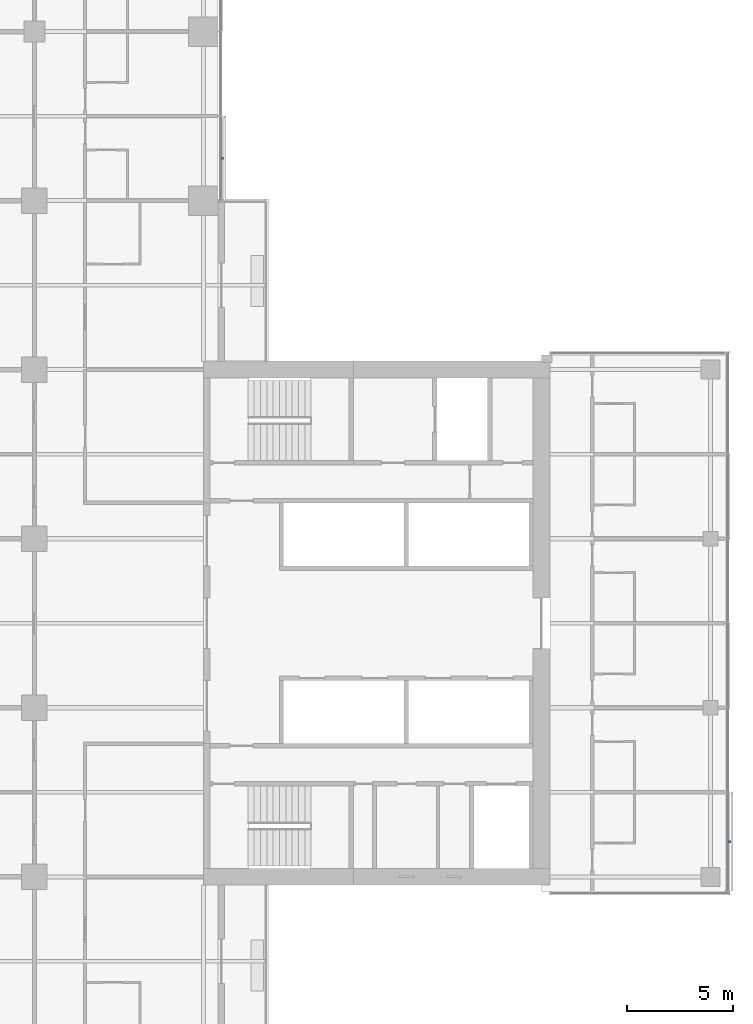
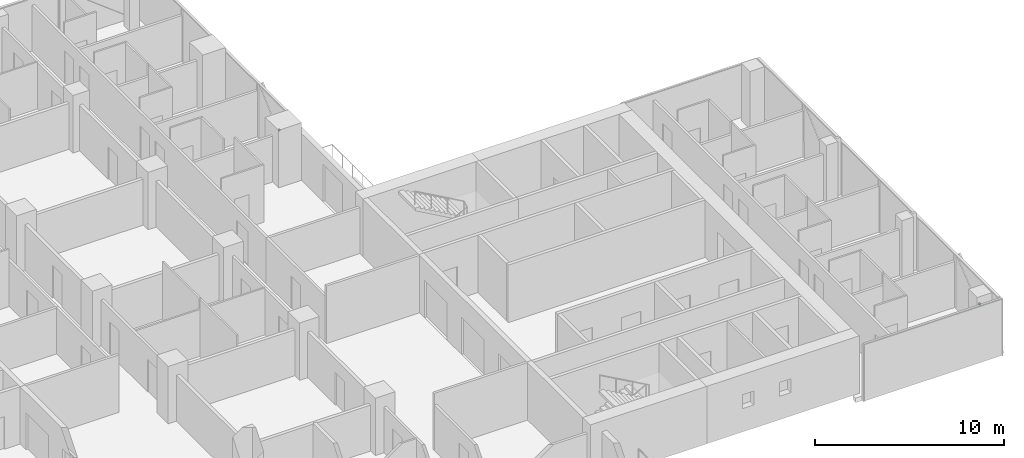
# One storey, part 27 of 29: 2 discrete accessories.
"""IFC4 building model written with IfcOpenShell, lengths in metres."""

from ifc_helpers import new_model, si_unit, direction, frame, origin, origin_2d, place, context, subcontext, project, spatial, rectangle, extrude, material, type_object, element, save


model = new_model("IFC4")

# Units and contexts
model_context = context("Model", 3, precision=1e-05, world=origin(), true_north=direction((0.0, 1.0)))
body_context = subcontext(model_context, "Body", "Model", "MODEL_VIEW")
ifc_project = project(units=[si_unit("LENGTHUNIT", "METRE"), si_unit("AREAUNIT", "SQUARE_METRE"), si_unit("VOLUMEUNIT", "CUBIC_METRE"), si_unit("PLANEANGLEUNIT", "RADIAN"), si_unit("MASSUNIT", "GRAM", prefix="KILO")], contexts=[model_context])

# Site, building, storey
site_placement = place(None, origin())
site = spatial("IfcSite", under=ifc_project, at=site_placement, CompositionType="ELEMENT")
building_placement = place(site_placement, origin())
building = spatial("IfcBuilding", under=site, at=building_placement, Name="Crosswind Convention Tower", CompositionType="ELEMENT")
storey_placement = place(building_placement, frame((0.0, 0.0, 53.5)))
storey = spatial("IfcBuildingStorey", under=building, at=storey_placement, Name="L07", CompositionType="ELEMENT", Elevation=53.5)

# Discrete accessories
ifc_material = material(Name="Stainless steel", Category="steel")
discrete_accessory_type = type_object("IfcDiscreteAccessoryType", Name="BAGUETTE BRACKET BK2", PredefinedType="BRACKET", material=ifc_material)
for number, where, z_axis, x_axis, name in (
    (1, (161.907958984375, 89.666259765625, 1.4775390625), (0.0, 0.0, 1.0), (0.0, 1.0, 0.0), "BK2 baguette bracket"),
    (2, (137.907958984375, 122.0, 1.4775390625), (0.0, 0.0, 1.0), (0.0, 1.0, 0.0), "BK2 baguette bracket"),
):
    element("IfcDiscreteAccessory", number, at=place(storey_placement, frame(where, z_axis=z_axis, x_axis=x_axis)), inside=storey, type_object=discrete_accessory_type, Name=name, PredefinedType="BRACKET", context=body_context, shape_type="SweptSolid", body=[
        extrude(rectangle(XDim=0.1201171875, YDim=0.10009765625, at=origin_2d()), origin(), (0.0, 0.0, 1.0), 0.1201171875),
    ])

save(model, "model.ifc")
